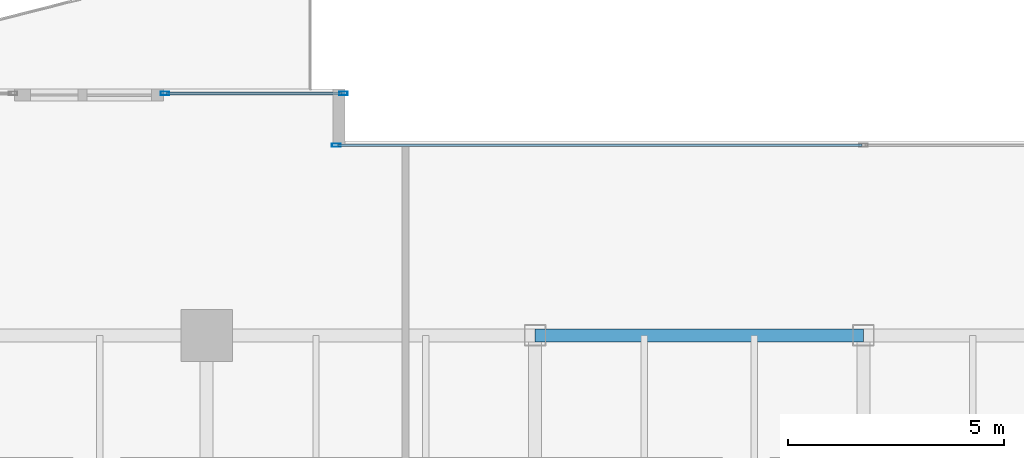
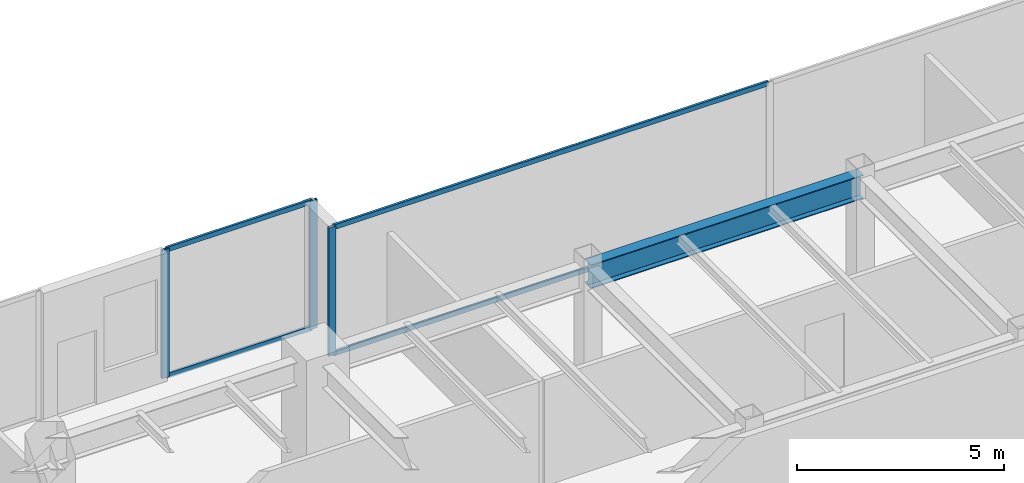
# One storey, part 14 of 30: 7 members, 1 beam, 2 elements without a shape of their own.
"""IFC4 building model written with IfcOpenShell, lengths in metres."""

import ifcopenshell
import ifcopenshell.guid

model = None  # the IFC model being written
_history = None  # IfcOwnerHistory: only IFC2X3 demands one
_inside = {}  # id of a spatial element -> (the spatial element, [elements in it])
_under = {}  # id of a project, library or spatial element -> (it, [spatial elements below it])
_declared = {}  # id of a project -> (the project, [libraries it declares])
_typed = {}  # id of a type object -> (the type object, [elements of that type])
_made_of = {}  # id of a material, layer set ... -> (it, [elements and type objects made of it])


def new_model(schema):
    """Start an empty IFC model of exactly this schema.

    Asked for "IFC4X3", IfcOpenShell would pick the latest addendum, in which some entities
    have other attributes; the version numbers below select the first issue.
    IFC2X3 requires an IfcOwnerHistory on every rooted entity: one is made here for all.
    """
    global model, _history
    if schema == "IFC4X3":
        model = ifcopenshell.file(schema_version=(4, 3, 0, 0))
    else:
        model = ifcopenshell.file(schema=schema)
    _inside.clear()
    _under.clear()
    _declared.clear()
    _typed.clear()
    _made_of.clear()
    _history = None
    if model.schema == "IFC2X3":
        org = make("IfcOrganization", Name="unknown")
        user = make(
            "IfcPersonAndOrganization",
            ThePerson=make("IfcPerson", FamilyName="unknown"),
            TheOrganization=org,
        )
        app = make(
            "IfcApplication",
            ApplicationDeveloper=org,
            Version="unknown",
            ApplicationFullName="unknown",
            ApplicationIdentifier="unknown",
        )
        _history = make(
            "IfcOwnerHistory",
            OwningUser=user,
            OwningApplication=app,
            ChangeAction="ADDED",
            CreationDate=0,
        )
    return model


def make(cls, **values):
    """One entity of the class cls with the attributes given. An attribute that is None is left unset."""
    return model.create_entity(
        cls, **{name: value for name, value in values.items() if value is not None}
    )


def rooted(cls, **values):
    """An entity with a GlobalId (a new one), such as an element, a storey or a relation."""
    return make(cls, GlobalId=ifcopenshell.guid.new(), OwnerHistory=_history, **values)


def si_unit(unit_type, name, prefix=None):
    """IfcSIUnit, for example si_unit("LENGTHUNIT", "METRE", prefix="MILLI")."""
    return make("IfcSIUnit", UnitType=unit_type, Prefix=prefix, Name=name)


def assignment(units):
    """IfcUnitAssignment: the units of a project."""
    return None if units is None else make("IfcUnitAssignment", Units=units)


def point(xyz):
    """IfcCartesianPoint."""
    return None if xyz is None else make("IfcCartesianPoint", Coordinates=xyz)


def direction(xyz):
    """IfcDirection."""
    return None if xyz is None else make("IfcDirection", DirectionRatios=xyz)


def frame(location, z_axis=None, x_axis=None):
    """IfcAxis2Placement3D, a coordinate frame: its origin and axes. An axis left out is left unset."""
    return make(
        "IfcAxis2Placement3D",
        Location=point(location),
        Axis=direction(z_axis),
        RefDirection=direction(x_axis),
    )


def frame_2d(location, x_axis=None):
    """IfcAxis2Placement2D, a coordinate frame in the plane: its origin and x axis."""
    return make(
        "IfcAxis2Placement2D", Location=point(location), RefDirection=direction(x_axis)
    )


def origin():
    """The frame at (0, 0, 0) with its axes left unset."""
    return frame((0.0, 0.0, 0.0))


def origin_2d():
    """The frame at (0, 0) in the plane with its x axis left unset."""
    return frame_2d((0.0, 0.0))


def place(relative_to, where):
    """IfcLocalPlacement: puts the frame where relative to a parent placement (None: the world)."""
    return make(
        "IfcLocalPlacement", PlacementRelTo=relative_to, RelativePlacement=where
    )


def context(
    kind, dimensions, precision=None, world=None, true_north=None, identifier=None
):
    """IfcGeometricRepresentationContext, for example the 3D "Model" context."""
    return make(
        "IfcGeometricRepresentationContext",
        ContextIdentifier=identifier,
        ContextType=kind,
        CoordinateSpaceDimension=dimensions,
        Precision=precision,
        WorldCoordinateSystem=world,
        TrueNorth=true_north,
    )


def subcontext(parent, identifier, kind, view, scale=None):
    """IfcGeometricRepresentationSubContext, for example "Body" below "Model"."""
    return make(
        "IfcGeometricRepresentationSubContext",
        ContextIdentifier=identifier,
        ContextType=kind,
        ParentContext=parent,
        TargetScale=scale,
        TargetView=view,
    )


def project(units=None, contexts=None):
    """IfcProject with its units and contexts."""
    return rooted(
        "IfcProject",
        Name="project",
        RepresentationContexts=contexts,
        UnitsInContext=assignment(units),
    )


def spatial(cls, under=None, at=None, **own):
    """A site, building, storey or space (cls), placed at a placement, below another one or the project."""
    s = rooted(cls, ObjectPlacement=at, **own)
    if under is not None:
        _under.setdefault(under.id(), (under, []))[1].append(s)
    return s


def profile(cls, at=None, kind="AREA", **sizes):
    """A parametric profile (cls). Its sizes go by their IFC names, for example OverallWidth=200.0."""
    return make(cls, ProfileType=kind, Position=at, **sizes)


def hollow_rectangle(**sizes):
    """IfcRectangleHollowProfileDef."""
    return profile("IfcRectangleHollowProfileDef", **sizes)


def i_section(**sizes):
    """IfcIShapeProfileDef."""
    return profile("IfcIShapeProfileDef", **sizes)


def extrude(swept, where, along, depth):
    """IfcExtrudedAreaSolid: the profile swept, set in the frame where, extruded along a direction by depth."""
    return make(
        "IfcExtrudedAreaSolid",
        SweptArea=swept,
        Position=where,
        ExtrudedDirection=direction(along),
        Depth=depth,
    )


def shape(context_of_items, identifier, shape_type, items):
    """IfcShapeRepresentation: the items that make up one representation, for example the "Body"."""
    return make(
        "IfcShapeRepresentation",
        ContextOfItems=context_of_items,
        RepresentationIdentifier=identifier,
        RepresentationType=shape_type,
        Items=items,
    )


def source(mapping_origin, context_of_items, identifier, shape_type, items):
    """IfcRepresentationMap: a shape defined once, which mapped items show again and again."""
    return make(
        "IfcRepresentationMap",
        MappingOrigin=mapping_origin,
        MappedRepresentation=shape(context_of_items, identifier, shape_type, items),
    )


def transform(
    local_origin,
    x_axis=None,
    y_axis=None,
    z_axis=None,
    scale=None,
    scale2=None,
    scale3=None,
    uniform=True,
):
    """IfcCartesianTransformationOperator3D, or its non-uniform kind. x_axis, y_axis, z_axis: its Axis1, 2, 3."""
    if uniform:
        return make(
            "IfcCartesianTransformationOperator3D",
            Axis1=direction(x_axis),
            Axis2=direction(y_axis),
            LocalOrigin=point(local_origin),
            Scale=scale,
            Axis3=direction(z_axis),
        )
    return make(
        "IfcCartesianTransformationOperator3DnonUniform",
        Axis1=direction(x_axis),
        Axis2=direction(y_axis),
        LocalOrigin=point(local_origin),
        Scale=scale,
        Axis3=direction(z_axis),
        Scale2=scale2,
        Scale3=scale3,
    )


def mapped(mapping_source, mapping_target):
    """IfcMappedItem: shows the shape of a source again, moved by a transform."""
    return make(
        "IfcMappedItem", MappingSource=mapping_source, MappingTarget=mapping_target
    )


def material(Name=None, Category=None):
    """IfcMaterial."""
    return make("IfcMaterial", Name=Name, Category=Category)


def layer(
    of_material, thickness, ventilated=None, Name=None, Category=None, Priority=None
):
    """IfcMaterialLayer: one layer of a wall or slab, of a material (None: an air gap)."""
    return make(
        "IfcMaterialLayer",
        Material=of_material,
        LayerThickness=thickness,
        IsVentilated=ventilated,
        Name=Name,
        Category=Category,
        Priority=Priority,
    )


def layer_set(layers, Name=None):
    """IfcMaterialLayerSet."""
    return make("IfcMaterialLayerSet", MaterialLayers=layers, LayerSetName=Name)


def material_profile(
    of_material, cross_section, Name=None, Category=None, Priority=None
):
    """IfcMaterialProfile: a cross section and its material."""
    return make(
        "IfcMaterialProfile",
        Name=Name,
        Material=of_material,
        Profile=cross_section,
        Priority=Priority,
        Category=Category,
    )


def profile_set(profiles, Name=None, composite=None):
    """IfcMaterialProfileSet."""
    return make(
        "IfcMaterialProfileSet",
        Name=Name,
        MaterialProfiles=profiles,
        CompositeProfile=composite,
    )


def made_of(thing, what):
    """Note that an element or type object is made of a material, layer set ...; save() writes the relation."""
    if what is not None:
        _made_of.setdefault(what.id(), (what, []))[1].append(thing)
    return thing


def type_object(cls, material=None, **own):
    """A type object (cls), such as IfcWallType, which elements share."""
    return made_of(rooted(cls, **own), material)


def type_shapes(of_type, sources):
    """Give a type object the sources (RepresentationMaps) that its elements show as mapped items."""
    of_type.RepresentationMaps = sources


def element(
    cls,
    number,
    at=None,
    inside=None,
    cuts=None,
    type_object=None,
    material=None,
    context=None,
    identifier="Body",
    shape_type=None,
    held_by="IfcProductDefinitionShape",
    body=None,
    shapes=None,
    **own,
):
    """One element of the class cls, such as IfcWall. Its Tag is "e" and its number.

    at: its placement. inside: the storey or other place that contains it. cuts: it is an
    opening in that element (IfcRelVoidsElement). A single representation is given by context,
    identifier, shape_type and body (its items); several are given by shapes. held_by: the class
    of the entity that holds the representations. save() writes the other relations.
    """
    e = rooted(cls, Tag="e%d" % number, ObjectPlacement=at, **own)
    if body is not None:
        shapes = [shape(context, identifier, shape_type, body)]
    if shapes is not None:
        e.Representation = make(held_by, Representations=shapes)
    if inside is not None:
        _inside.setdefault(inside.id(), (inside, []))[1].append(e)
    if cuts is not None:
        rooted(
            "IfcRelVoidsElement", RelatingBuildingElement=cuts, RelatedOpeningElement=e
        )
    if type_object is not None:
        _typed.setdefault(type_object.id(), (type_object, []))[1].append(e)
    return made_of(e, material)


def aggregate(whole, parts):
    """IfcRelAggregates: a whole, such as a stair, and the parts it consists of."""
    return rooted("IfcRelAggregates", RelatingObject=whole, RelatedObjects=parts)


def save(model, path):
    """Write the relations noted so far, then the file.

    IfcRelAggregates (storeys below a building ...), IfcRelContainedInSpatialStructure (elements
    in a storey), IfcRelDefinesByType, IfcRelAssociatesMaterial and IfcRelDeclares: one each for
    every whole, place, type object, material and project.
    """
    for whole, parts in _under.values():
        aggregate(whole, parts)
    for where, things in _inside.values():
        rooted(
            "IfcRelContainedInSpatialStructure",
            RelatedElements=things,
            RelatingStructure=where,
        )
    for kind, things in _typed.values():
        rooted("IfcRelDefinesByType", RelatedObjects=things, RelatingType=kind)
    for what, things in _made_of.values():
        rooted("IfcRelAssociatesMaterial", RelatedObjects=things, RelatingMaterial=what)
    for by, libraries in _declared.values():
        rooted("IfcRelDeclares", RelatingContext=by, RelatedDefinitions=libraries)
    model.write(path)


model = new_model("IFC4")

# Units and contexts
model_context = context("Model", 3, precision=1e-05, world=origin(), true_north=direction((0.0, 1.0)))
body_context = subcontext(model_context, "Body", "Model", "MODEL_VIEW")
ifc_project = project(units=[si_unit("LENGTHUNIT", "METRE"), si_unit("AREAUNIT", "SQUARE_METRE"), si_unit("VOLUMEUNIT", "CUBIC_METRE"), si_unit("PLANEANGLEUNIT", "RADIAN"), si_unit("MASSUNIT", "GRAM", prefix="KILO")], contexts=[model_context])

# Site, building, storey
site_placement = place(None, origin())
site = spatial("IfcSite", under=ifc_project, at=site_placement, CompositionType="ELEMENT")
building_placement = place(site_placement, origin())
building = spatial("IfcBuilding", under=site, at=building_placement, Name="Haelvirn Gate Laboratories", CompositionType="ELEMENT")
storey_placement = place(building_placement, frame((0.0, 0.0, 113.300048828125)))
storey = spatial("IfcBuildingStorey", under=building, at=storey_placement, Name="L27", CompositionType="ELEMENT", Elevation=113.300048828125)

# Beam
ifc_material_1 = material(Name="Steel SM355", Category="steel")
ifc_material_profile_1 = material_profile(ifc_material_1, i_section(OverallWidth=0.300048828125, OverallDepth=0.699951171875, WebThickness=0.012939453125, FlangeThickness=0.02392578125, at=origin_2d()), Name="H-700x300x13x24")
ifc_profile_set_1 = profile_set([ifc_material_profile_1], Name="Steel SM355")
beam_type = type_object("IfcBeamType", Name="BM-G-700", PredefinedType="BEAM", material=ifc_profile_set_1)
shared_shape_1 = source(origin(), body_context, "Body", "SweptSolid", [
    extrude(i_section(OverallWidth=0.300048828125, OverallDepth=0.699951171875, WebThickness=0.012939453125, FlangeThickness=0.02392578125, at=origin_2d()), origin(), (0.0, 0.0, 1.0), 7.599853515625),
])
type_shapes(beam_type, [shared_shape_1])
beam_placement = place(storey_placement, frame((29.800048828125, 41.60009765625, 3.43994140625), z_axis=(1.0, 0.0, 0.0), x_axis=(0.0, 1.0, 0.0)))
element("IfcBeam", 1, at=beam_placement, inside=storey, type_object=beam_type, Name="L27 Primary Girder Y41.6 (29.8-37.4)", PredefinedType="BEAM", context=body_context, shape_type="MappedRepresentation", body=[
    mapped(shared_shape_1, transform((0.0, 0.0, 0.0), scale=1.0)),
])

# Curtain wall, members
ifc_material_2 = material(Name="Anodised bronze unitised aluminium & triple low-E glass", Category="aluminium")
ifc_layer = layer(ifc_material_2, 0.179931640625, Name="CW-SYS-3")
ifc_layer_set = layer_set([ifc_layer], Name="Anodised bronze unitised aluminium & triple low-E glass")
curtain_wall_type = type_object("IfcCurtainWallType", Name="CW-SYS-3", PredefinedType="NOTDEFINED", material=ifc_layer_set)
curtain_wall_1_placement = place(storey_placement, origin())
curtain_wall_1 = element("IfcCurtainWall", 2, at=curtain_wall_1_placement, inside=storey, type_object=curtain_wall_type, Name="L27 Unitised Curtain Wall CW-L27-P0-E12-1", PredefinedType="NOTDEFINED")
ifc_material_3 = material(Name="Extruded aluminium 6063-T6 (anodised bronze)", Category="aluminium")
ifc_material_profile_2 = material_profile(ifc_material_3, hollow_rectangle(XDim=0.06494140625, YDim=0.139892578125, WallThickness=0.00390625, at=origin_2d()), Name="CWT-140x65x4")
ifc_profile_set_2 = profile_set([ifc_material_profile_2], Name="Extruded aluminium 6063-T6 (anodised bronze)")
member_type_1 = type_object("IfcMemberType", Name="CWT-T140", PredefinedType="USERDEFINED", material=ifc_profile_set_2)
shared_shape_2 = source(origin(), body_context, "Body", "SweptSolid", [
    extrude(hollow_rectangle(XDim=0.06494140625, YDim=0.139892578125, WallThickness=0.00390625, at=origin_2d()), origin(), (0.0, 0.0, 1.0), 12.12744140625),
])
member_1_placement = place(storey_placement, frame((25.235107421875, 46.0, 0.032470703125), z_axis=(1.0, 0.0, 0.0), x_axis=(0.0, 1.0, 0.0)))
member_1 = element("IfcMember", 3, at=member_1_placement, type_object=member_type_1, Name="CW3 transom 1.1", ObjectType="TRANSOM", PredefinedType="USERDEFINED", context=body_context, shape_type="MappedRepresentation", body=[
    mapped(shared_shape_2, transform((0.0, 0.0, 0.0), scale=1.0)),
])
member_2_placement = place(storey_placement, frame((25.235107421875, 46.0, 3.757568359375), z_axis=(1.0, 0.0, 0.0), x_axis=(0.0, 1.0, 0.0)))
member_2 = element("IfcMember", 4, at=member_2_placement, type_object=member_type_1, Name="CW3 transom 1.2", ObjectType="TRANSOM", PredefinedType="USERDEFINED", context=body_context, shape_type="MappedRepresentation", body=[
    mapped(shared_shape_2, transform((0.0, 0.0, 0.0), scale=1.0)),
])
ifc_material_profile_3 = material_profile(ifc_material_3, hollow_rectangle(XDim=0.074951171875, YDim=0.199951171875, WallThickness=0.0048828125, at=origin_2d()), Name="CWM-200x75x5")
ifc_profile_set_3 = profile_set([ifc_material_profile_3], Name="Extruded aluminium 6063-T6 (anodised bronze)")
member_type_2 = type_object("IfcMemberType", Name="CWM-T200", PredefinedType="MULLION", material=ifc_profile_set_3)
shared_shape_3 = source(origin(), body_context, "Body", "SweptSolid", [
    extrude(hollow_rectangle(XDim=0.074951171875, YDim=0.199951171875, WallThickness=0.0048828125, at=origin_2d()), origin(), (0.0, 0.0, 1.0), 3.7900390625),
])
type_shapes(member_type_2, [shared_shape_3])
member_3_placement = place(storey_placement, frame((25.197509765625, 46.0, 0.0), z_axis=(0.0, 0.0, 1.0), x_axis=(0.0, 1.0, 0.0)))
member_3 = element("IfcMember", 5, at=member_3_placement, type_object=member_type_2, Name="CW3 mullion 1", PredefinedType="MULLION", context=body_context, shape_type="MappedRepresentation", body=[
    mapped(shared_shape_3, transform((0.0, 0.0, 0.0), scale=1.0)),
])
aggregate(curtain_wall_1, [member_3, member_1, member_2])

curtain_wall_2_placement = place(storey_placement, origin())
curtain_wall_2 = element("IfcCurtainWall", 6, at=curtain_wall_2_placement, inside=storey, type_object=curtain_wall_type, Name="L27 Unitised Curtain Wall CW-L27-P0-E14-2", PredefinedType="NOTDEFINED")
member_4_placement = place(storey_placement, frame((21.232421875, 47.199951171875, 0.0), z_axis=(0.0, 0.0, 1.0), x_axis=(0.0, 1.0, 0.0)))
member_4 = element("IfcMember", 7, at=member_4_placement, type_object=member_type_2, Name="CW3 mullion 1", PredefinedType="MULLION", context=body_context, shape_type="MappedRepresentation", body=[
    mapped(shared_shape_3, transform((0.0, 0.0, 0.0), scale=1.0)),
])
member_5_placement = place(storey_placement, frame((25.362548828125, 47.199951171875, 0.0), z_axis=(0.0, 0.0, 1.0), x_axis=(0.0, 1.0, 0.0)))
member_5 = element("IfcMember", 8, at=member_5_placement, type_object=member_type_2, Name="CW3 mullion 2", PredefinedType="MULLION", context=body_context, shape_type="MappedRepresentation", body=[
    mapped(shared_shape_3, transform((0.0, 0.0, 0.0), scale=1.0)),
])
shared_shape_4 = source(origin(), body_context, "Body", "SweptSolid", [
    extrude(hollow_rectangle(XDim=0.06494140625, YDim=0.139892578125, WallThickness=0.00390625, at=origin_2d()), origin(), (0.0, 0.0, 1.0), 4.054931640625),
])
type_shapes(member_type_1, [shared_shape_2, shared_shape_4])
member_6_placement = place(storey_placement, frame((21.27001953125, 47.199951171875, 0.032470703125), z_axis=(1.0, 0.0, 0.0), x_axis=(0.0, 1.0, 0.0)))
member_6 = element("IfcMember", 9, at=member_6_placement, type_object=member_type_1, Name="CW3 transom 1.1", ObjectType="TRANSOM", PredefinedType="USERDEFINED", context=body_context, shape_type="MappedRepresentation", body=[
    mapped(shared_shape_4, transform((0.0, 0.0, 0.0), scale=1.0)),
])
member_7_placement = place(storey_placement, frame((21.27001953125, 47.199951171875, 3.757568359375), z_axis=(1.0, 0.0, 0.0), x_axis=(0.0, 1.0, 0.0)))
member_7 = element("IfcMember", 10, at=member_7_placement, type_object=member_type_1, Name="CW3 transom 1.2", ObjectType="TRANSOM", PredefinedType="USERDEFINED", context=body_context, shape_type="MappedRepresentation", body=[
    mapped(shared_shape_4, transform((0.0, 0.0, 0.0), scale=1.0)),
])
aggregate(curtain_wall_2, [member_4, member_5, member_6, member_7])

save(model, "model.ifc")
